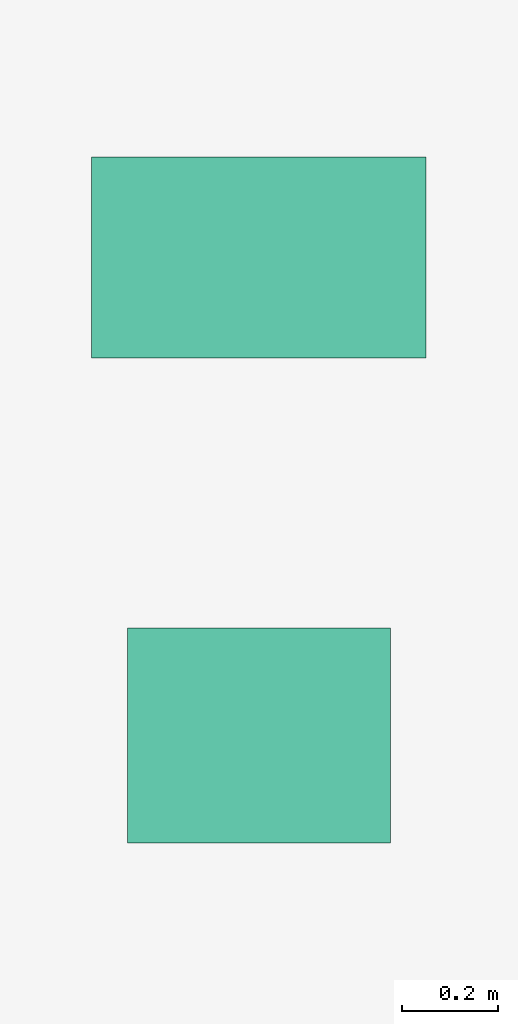
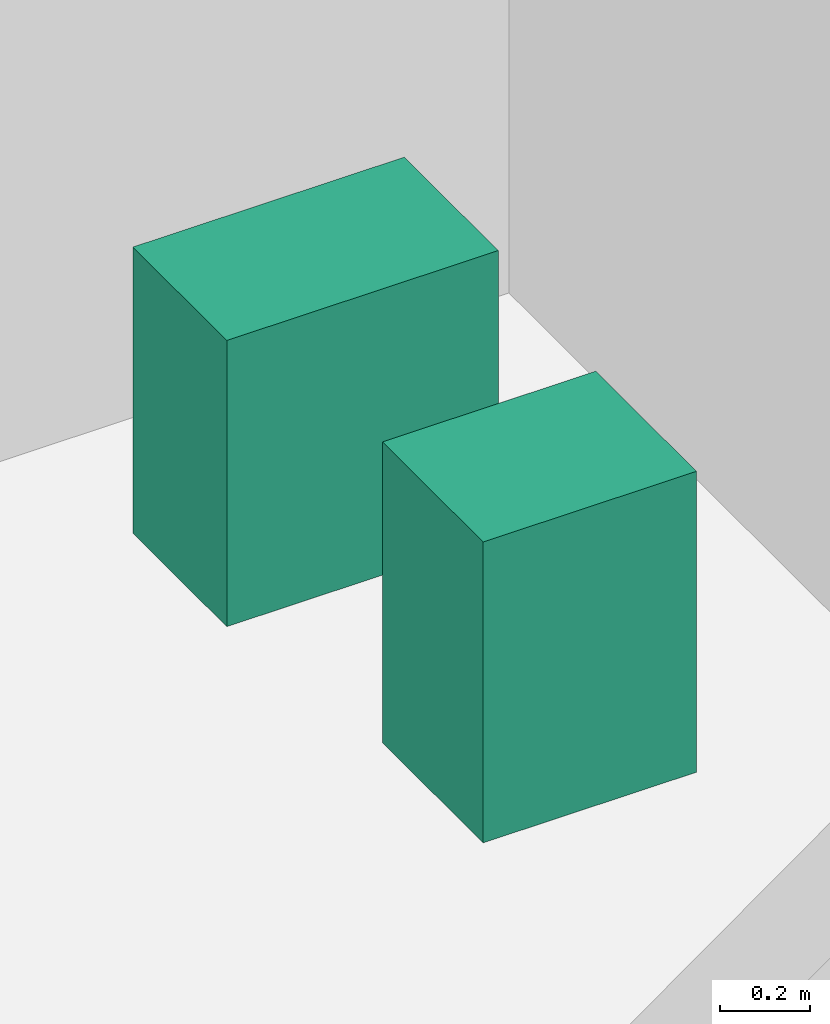
# One storey, part 25 of 25: 2 sanitary terminals.
"""IFC4 building model written with IfcOpenShell, lengths in metres."""

from ifc_helpers import new_model, si_unit, direction, frame, origin, origin_2d, place, context, subcontext, project, spatial, rectangle, extrude, source, transform, mapped, material, type_object, element, save


model = new_model("IFC4")

# Units and contexts
model_context = context("Model", 3, precision=1e-05, world=origin(), true_north=direction((0.0, 1.0)))
body_context = subcontext(model_context, "Body", "Model", "MODEL_VIEW")
ifc_project = project(units=[si_unit("LENGTHUNIT", "METRE"), si_unit("AREAUNIT", "SQUARE_METRE"), si_unit("VOLUMEUNIT", "CUBIC_METRE"), si_unit("PLANEANGLEUNIT", "RADIAN"), si_unit("MASSUNIT", "GRAM", prefix="KILO")], contexts=[model_context])

# Site, building, storey
site_placement = place(None, origin())
site = spatial("IfcSite", under=ifc_project, at=site_placement, CompositionType="ELEMENT")
building_placement = place(site_placement, origin())
building = spatial("IfcBuilding", under=site, at=building_placement, Name="Sumidabori Civic Tower", CompositionType="ELEMENT")
storey_placement = place(building_placement, frame((0.0, 0.0, 246.800048828125)))
storey = spatial("IfcBuildingStorey", under=building, at=storey_placement, Name="L64", CompositionType="ELEMENT", Elevation=246.800048828125)

# Sanitary terminals
ifc_material = material(Name="Vitreous Sanitary Porcelain")
sanitary_terminal_type_1 = type_object("IfcSanitaryTerminalType", Name="SN-WC-1", PredefinedType="TOILETPAN", material=ifc_material)
shared_shape_1 = source(origin(), body_context, "Body", "SweptSolid", [
    extrude(rectangle(XDim=0.699951171875, YDim=0.419921875, at=origin_2d()), origin(), (0.0, 0.0, 1.0), 0.780029296875),
])
sanitary_terminal_1_placement = place(storey_placement, frame((10.800048828125, 21.85009765625, 0.0), z_axis=(0.0, 0.0, 1.0), x_axis=(1.0, 0.0, 0.0)))
element("IfcSanitaryTerminal", 1, at=sanitary_terminal_1_placement, inside=storey, type_object=sanitary_terminal_type_1, Name="Accessible WC Pan L64", PredefinedType="TOILETPAN", context=body_context, shape_type="MappedRepresentation", body=[
    mapped(shared_shape_1, transform((0.0, 0.0, 0.0), x_axis=(1.0, 0.0, 0.0), y_axis=(0.0, 1.0, 0.0), z_axis=(0.0, 0.0, 1.0), scale=1.0)),
])
sanitary_terminal_type_2 = type_object("IfcSanitaryTerminalType", Name="SN-BAS-1", PredefinedType="WASHHANDBASIN", material=ifc_material)
shared_shape_2 = source(origin(), body_context, "Body", "SweptSolid", [
    extrude(rectangle(XDim=0.550048828125, YDim=0.449951171875, at=origin_2d()), origin(), (0.0, 0.0, 1.0), 0.820068359375),
])
sanitary_terminal_2_placement = place(storey_placement, frame((10.800048828125, 20.85009765625, 0.0), z_axis=(0.0, 0.0, 1.0), x_axis=(1.0, 0.0, 0.0)))
element("IfcSanitaryTerminal", 2, at=sanitary_terminal_2_placement, inside=storey, type_object=sanitary_terminal_type_2, Name="Accessible Basin L64", PredefinedType="WASHHANDBASIN", context=body_context, shape_type="MappedRepresentation", body=[
    mapped(shared_shape_2, transform((0.0, 0.0, 0.0), x_axis=(1.0, 0.0, 0.0), y_axis=(0.0, 1.0, 0.0), z_axis=(0.0, 0.0, 1.0), scale=1.0)),
])

save(model, "model.ifc")
